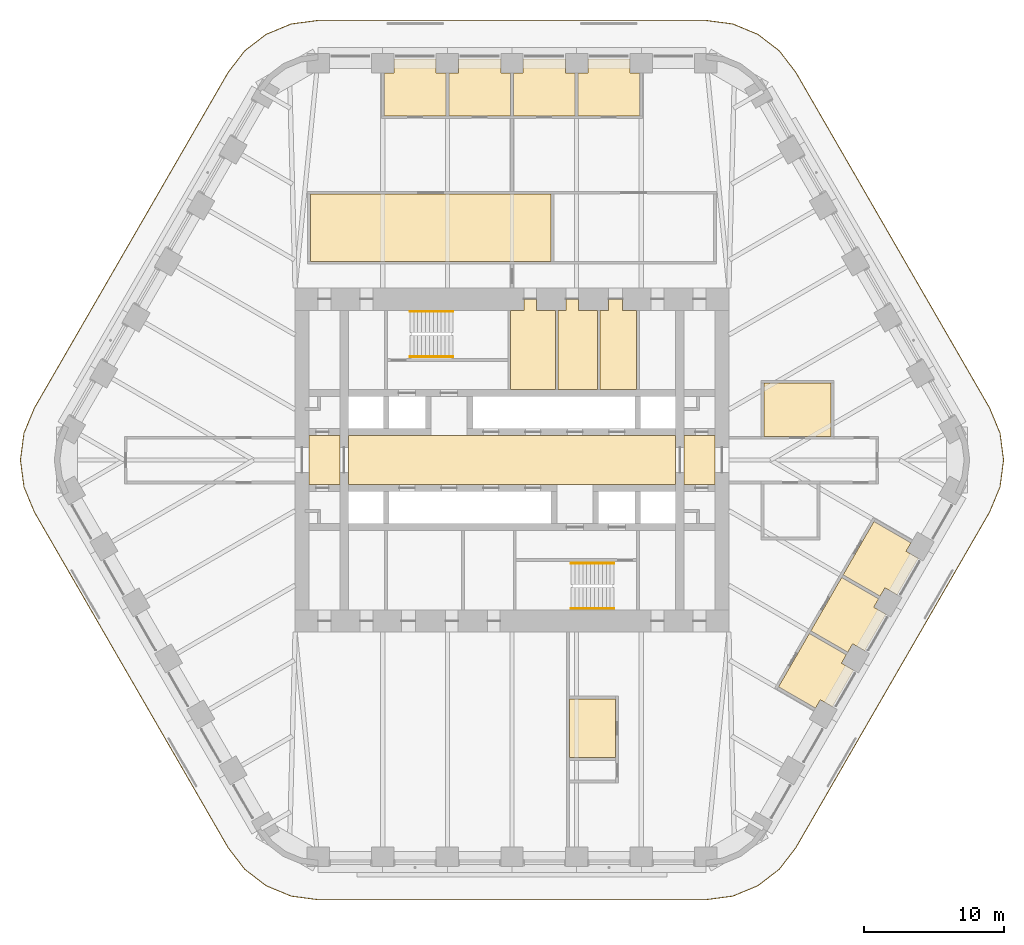
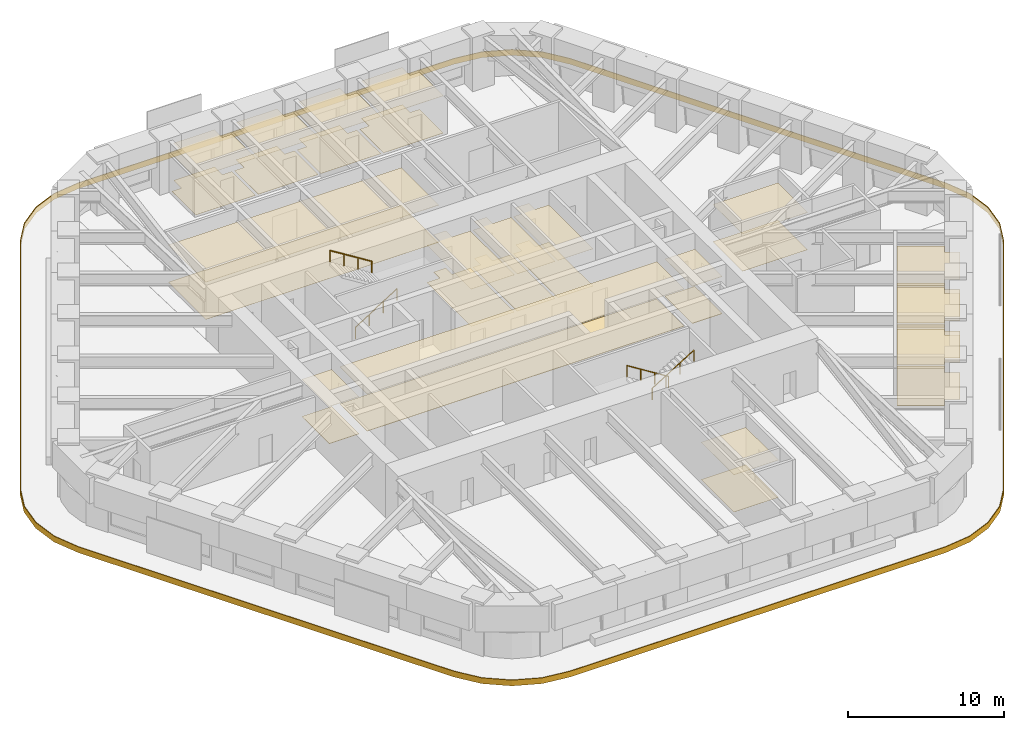
# One storey, part 19 of 20: 15 coverings, 4 railings.
"""IFC4 building model written with IfcOpenShell, lengths in metres."""

from ifc_helpers import new_model, si_unit, direction, frame, origin, origin_2d, place, context, subcontext, project, spatial, polyline, circle, outline, extrude, material, layer, layer_set, type_object, element, save


model = new_model("IFC4")

# Units and contexts
model_context = context("Model", 3, precision=1e-05, world=origin(), true_north=direction((0.0, 1.0)))
body_context = subcontext(model_context, "Body", "Model", "MODEL_VIEW")
ifc_project = project(units=[si_unit("LENGTHUNIT", "METRE"), si_unit("AREAUNIT", "SQUARE_METRE"), si_unit("VOLUMEUNIT", "CUBIC_METRE"), si_unit("PLANEANGLEUNIT", "RADIAN"), si_unit("MASSUNIT", "GRAM", prefix="KILO")], contexts=[model_context])

# Site, building, storey
site_placement = place(None, origin())
site = spatial("IfcSite", under=ifc_project, at=site_placement, CompositionType="ELEMENT")
building_placement = place(site_placement, origin())
building = spatial("IfcBuilding", under=site, at=building_placement, Name="Tarfa Lantern Tower", CompositionType="ELEMENT")
storey_placement = place(building_placement, frame((0.0, 0.0, 219.699951171875)))
storey = spatial("IfcBuildingStorey", under=building, at=storey_placement, Name="L49", CompositionType="ELEMENT", Elevation=219.699951171875)

# Coverings
ifc_material_1 = material(Name="Mineral fibre acoustic tile on suspension grid", Category="finish")
ifc_layer_1 = layer(ifc_material_1, 0.02001953125)
ifc_layer_set_1 = layer_set([ifc_layer_1], Name="CL1 ACOUSTIC TILE CEILING 20")
covering_type_1 = type_object("IfcCoveringType", Name="CL1 ACOUSTIC TILE CEILING 20", PredefinedType="CEILING", material=ifc_layer_set_1)
covering_1_placement = place(storey_placement, frame((0.0, 0.0, 2.900146484375)))
element("IfcCovering", 1, at=covering_1_placement, inside=storey, type_object=covering_type_1, Name="Ceiling L49 CL1", PredefinedType="CEILING", context=body_context, shape_type="SweptSolid", body=[
    extrude(outline(polyline([(-14.39990234375, 19.0), (2.800048828125, 19.0), (2.800048828125, 14.199951171875), (-14.39990234375, 14.199951171875), (-14.39990234375, 19.0)])), origin(), (0.0, 0.0, 1.0), 0.02001953125),
    extrude(outline(polyline([(9.1376953125, 24.60009765625), (4.71875, 24.60009765625), (4.71875, 27.64990234375), (5.418701171875, 27.64990234375), (5.418701171875, 28.64990234375), (8.4375, 28.64990234375), (8.4375, 27.64990234375), (9.1376953125, 27.64990234375), (9.1376953125, 24.60009765625)])), origin(), (0.0, 0.0, 1.0), 0.02001953125),
    extrude(outline(polyline([(4.518798828125, 24.60009765625), (0.10009765625, 24.60009765625), (0.10009765625, 27.64990234375), (0.800048828125, 27.64990234375), (0.800048828125, 28.64990234375), (3.81884765625, 28.64990234375), (3.81884765625, 27.64990234375), (4.518798828125, 27.64990234375), (4.518798828125, 24.60009765625)])), origin(), (0.0, 0.0, 1.0), 0.02001953125),
    extrude(outline(polyline([(-0.10009765625, 24.60009765625), (-4.518798828125, 24.60009765625), (-4.518798828125, 27.64990234375), (-3.81884765625, 27.64990234375), (-3.81884765625, 28.64990234375), (-0.800048828125, 28.64990234375), (-0.800048828125, 27.64990234375), (-0.10009765625, 27.64990234375), (-0.10009765625, 24.60009765625)])), origin(), (0.0, 0.0, 1.0), 0.02001953125),
    extrude(outline(polyline([(-4.71875, 24.60009765625), (-9.1376953125, 24.60009765625), (-9.1376953125, 27.64990234375), (-8.4375, 27.64990234375), (-8.4375, 28.64990234375), (-5.418701171875, 28.64990234375), (-5.418701171875, 27.64990234375), (-4.71875, 27.64990234375), (-4.71875, 24.60009765625)])), origin(), (0.0, 0.0, 1.0), 0.02001953125),
    extrude(outline(polyline([(21.254150390625, -12.38671875), (23.8955078125, -13.91162109375), (23.545654296875, -14.517822265625), (24.41162109375, -15.017822265625), (22.90234375, -17.632080078125), (22.0361328125, -17.132080078125), (21.686279296875, -17.73828125), (19.044921875, -16.21337890625), (21.254150390625, -12.38671875)])), origin(), (0.0, 0.0, 1.0), 0.02001953125),
    extrude(outline(polyline([(23.563720703125, -8.38671875), (26.205078125, -9.91162109375), (25.85498046875, -10.517822265625), (26.720947265625, -11.017822265625), (25.211669921875, -13.632080078125), (24.345703125, -13.132080078125), (23.99560546875, -13.73828125), (21.354248046875, -12.21337890625), (23.563720703125, -8.38671875)])), origin(), (0.0, 0.0, 1.0), 0.02001953125),
    extrude(outline(polyline([(25.873046875, -4.38671875), (28.514404296875, -5.91162109375), (28.164306640625, -6.517822265625), (29.030517578125, -7.017822265625), (27.52099609375, -9.632080078125), (26.655029296875, -9.132080078125), (26.304931640625, -9.73828125), (23.66357421875, -8.21337890625), (25.873046875, -4.38671875)])), origin(), (0.0, 0.0, 1.0), 0.02001953125),
    extrude(outline(polyline([(18.0, 5.5), (22.800048828125, 5.5), (22.800048828125, 1.699951171875), (18.0, 1.699951171875), (18.0, 5.5)])), origin(), (0.0, 0.0, 1.0), 0.02001953125),
    extrude(outline(polyline([(7.39990234375, -21.27490234375), (4.10009765625, -21.27490234375), (4.10009765625, -17.074951171875), (7.39990234375, -17.074951171875), (7.39990234375, -21.27490234375)])), origin(), (0.0, 0.0, 1.0), 0.02001953125),
])
ifc_material_2 = material(Name="Moisture-resistant plasterboard", Category="finish")
ifc_layer_2 = layer(ifc_material_2, 0.014892578125)
ifc_layer_set_2 = layer_set([ifc_layer_2], Name="CL2 MOISTURE-RESISTANT PLASTERBOARD CEILING 15")
covering_type_2 = type_object("IfcCoveringType", Name="CL2 MOISTURE-RESISTANT PLASTERBOARD CEILING 15", PredefinedType="CEILING", material=ifc_layer_set_2)
covering_2_placement = place(storey_placement, frame((0.0, 0.0, 2.900146484375)))
element("IfcCovering", 2, at=covering_2_placement, inside=storey, type_object=covering_type_2, Name="Ceiling L49-07", PredefinedType="CEILING", context=body_context, shape_type="SweptSolid", body=[
    extrude(outline(polyline([(0.85009765625, 10.699951171875), (-0.10009765625, 10.699951171875), (-0.10009765625, 5.050048828125), (3.10009765625, 5.050048828125), (3.10009765625, 10.699951171875), (1.75, 10.699951171875), (1.75, 11.5), (0.85009765625, 11.5), (0.85009765625, 10.699951171875)])), origin(), (0.0, 0.0, 1.0), 0.014892578125),
])
covering_3_placement = place(storey_placement, frame((0.0, 0.0, 2.900146484375)))
element("IfcCovering", 3, at=covering_3_placement, inside=storey, type_object=covering_type_2, Name="Ceiling L49-08", PredefinedType="CEILING", context=body_context, shape_type="SweptSolid", body=[
    extrude(outline(polyline([(3.300048828125, 5.050048828125), (6.10009765625, 5.050048828125), (6.10009765625, 10.699951171875), (4.75, 10.699951171875), (4.75, 11.5), (3.85009765625, 11.5), (3.85009765625, 10.699951171875), (3.300048828125, 10.699951171875), (3.300048828125, 5.050048828125)])), origin(), (0.0, 0.0, 1.0), 0.014892578125),
])
covering_4_placement = place(storey_placement, frame((0.0, 0.0, 2.900146484375)))
element("IfcCovering", 4, at=covering_4_placement, inside=storey, type_object=covering_type_2, Name="Ceiling L49-09", PredefinedType="CEILING", context=body_context, shape_type="SweptSolid", body=[
    extrude(outline(polyline([(6.300048828125, 5.050048828125), (8.89990234375, 5.050048828125), (8.89990234375, 10.699951171875), (7.89990234375, 10.699951171875), (7.89990234375, 11.5), (6.89990234375, 11.5), (6.89990234375, 10.699951171875), (6.300048828125, 10.699951171875), (6.300048828125, 5.050048828125)])), origin(), (0.0, 0.0, 1.0), 0.014892578125),
])
ifc_material_3 = material(Name="Powder-coated aluminium panel", Category="aluminium")
ifc_layer_3 = layer(ifc_material_3, 0.030029296875)
ifc_layer_set_3 = layer_set([ifc_layer_3], Name="CL3 METAL PANEL CEILING 30")
covering_type_3 = type_object("IfcCoveringType", Name="CL3 METAL PANEL CEILING 30", PredefinedType="CEILING", material=ifc_layer_set_3)
covering_5_placement = place(storey_placement, frame((0.0, 0.0, 2.900146484375)))
element("IfcCovering", 5, at=covering_5_placement, inside=storey, type_object=covering_type_3, Name="Ceiling L49-01", PredefinedType="CEILING", context=body_context, shape_type="SweptSolid", body=[
    extrude(outline(polyline([(-14.5, -1.75), (-12.300048828125, -1.75), (-12.300048828125, 1.75), (-14.5, 1.75), (-14.5, -1.75)])), origin(), (0.0, 0.0, 1.0), 0.02978515625),
])
covering_6_placement = place(storey_placement, frame((0.0, 0.0, 2.900146484375)))
element("IfcCovering", 6, at=covering_6_placement, inside=storey, type_object=covering_type_3, Name="Ceiling L49-02", PredefinedType="CEILING", context=body_context, shape_type="SweptSolid", body=[
    extrude(outline(polyline([(-11.699951171875, -1.75), (11.699951171875, -1.75), (11.699951171875, 1.75), (-11.699951171875, 1.75), (-11.699951171875, -1.75)])), origin(), (0.0, 0.0, 1.0), 0.02978515625),
])
covering_7_placement = place(storey_placement, frame((0.0, 0.0, 2.900146484375)))
element("IfcCovering", 7, at=covering_7_placement, inside=storey, type_object=covering_type_3, Name="Ceiling L49-03", PredefinedType="CEILING", context=body_context, shape_type="SweptSolid", body=[
    extrude(outline(polyline([(12.300048828125, -1.75), (14.5, -1.75), (14.5, 1.75), (12.300048828125, 1.75), (12.300048828125, -1.75)])), origin(), (0.0, 0.0, 1.0), 0.02978515625),
])
ifc_material_4 = material(Name="Nylon carpet tile", Category="finish")
ifc_layer_4 = layer(ifc_material_4, 0.010009765625)
ifc_layer_set_4 = layer_set([ifc_layer_4], Name="FL1 CARPET TILE 10")
covering_type_4 = type_object("IfcCoveringType", Name="FL1 CARPET TILE 10", PredefinedType="FLOORING", material=ifc_layer_set_4)
covering_8_placement = place(storey_placement, origin())
element("IfcCovering", 8, at=covering_8_placement, inside=storey, type_object=covering_type_4, Name="Floor finish L49 FL1", PredefinedType="FLOORING", context=body_context, shape_type="SweptSolid", body=[
    extrude(outline(polyline([(-14.39990234375, 19.0), (2.800048828125, 19.0), (2.800048828125, 14.199951171875), (-14.39990234375, 14.199951171875), (-14.39990234375, 19.0)])), origin(), (0.0, 0.0, 1.0), 0.010009765625),
    extrude(outline(polyline([(9.1376953125, 24.60009765625), (4.71875, 24.60009765625), (4.71875, 27.64990234375), (5.418701171875, 27.64990234375), (5.418701171875, 28.64990234375), (8.4375, 28.64990234375), (8.4375, 27.64990234375), (9.1376953125, 27.64990234375), (9.1376953125, 24.60009765625)])), origin(), (0.0, 0.0, 1.0), 0.010009765625),
    extrude(outline(polyline([(4.518798828125, 24.60009765625), (0.10009765625, 24.60009765625), (0.10009765625, 27.64990234375), (0.800048828125, 27.64990234375), (0.800048828125, 28.64990234375), (3.81884765625, 28.64990234375), (3.81884765625, 27.64990234375), (4.518798828125, 27.64990234375), (4.518798828125, 24.60009765625)])), origin(), (0.0, 0.0, 1.0), 0.010009765625),
    extrude(outline(polyline([(-0.10009765625, 24.60009765625), (-4.518798828125, 24.60009765625), (-4.518798828125, 27.64990234375), (-3.81884765625, 27.64990234375), (-3.81884765625, 28.64990234375), (-0.800048828125, 28.64990234375), (-0.800048828125, 27.64990234375), (-0.10009765625, 27.64990234375), (-0.10009765625, 24.60009765625)])), origin(), (0.0, 0.0, 1.0), 0.010009765625),
    extrude(outline(polyline([(-4.71875, 24.60009765625), (-9.1376953125, 24.60009765625), (-9.1376953125, 27.64990234375), (-8.4375, 27.64990234375), (-8.4375, 28.64990234375), (-5.418701171875, 28.64990234375), (-5.418701171875, 27.64990234375), (-4.71875, 27.64990234375), (-4.71875, 24.60009765625)])), origin(), (0.0, 0.0, 1.0), 0.010009765625),
    extrude(outline(polyline([(21.254150390625, -12.38671875), (23.8955078125, -13.91162109375), (23.545654296875, -14.517822265625), (24.41162109375, -15.017822265625), (22.90234375, -17.632080078125), (22.0361328125, -17.132080078125), (21.686279296875, -17.73828125), (19.044921875, -16.21337890625), (21.254150390625, -12.38671875)])), origin(), (0.0, 0.0, 1.0), 0.010009765625),
    extrude(outline(polyline([(23.563720703125, -8.38671875), (26.205078125, -9.91162109375), (25.85498046875, -10.517822265625), (26.720947265625, -11.017822265625), (25.211669921875, -13.632080078125), (24.345703125, -13.132080078125), (23.99560546875, -13.73828125), (21.354248046875, -12.21337890625), (23.563720703125, -8.38671875)])), origin(), (0.0, 0.0, 1.0), 0.010009765625),
    extrude(outline(polyline([(25.873046875, -4.38671875), (28.514404296875, -5.91162109375), (28.164306640625, -6.517822265625), (29.030517578125, -7.017822265625), (27.52099609375, -9.632080078125), (26.655029296875, -9.132080078125), (26.304931640625, -9.73828125), (23.66357421875, -8.21337890625), (25.873046875, -4.38671875)])), origin(), (0.0, 0.0, 1.0), 0.010009765625),
    extrude(outline(polyline([(18.0, 5.5), (22.800048828125, 5.5), (22.800048828125, 1.699951171875), (18.0, 1.699951171875), (18.0, 5.5)])), origin(), (0.0, 0.0, 1.0), 0.010009765625),
    extrude(outline(polyline([(7.39990234375, -21.27490234375), (4.10009765625, -21.27490234375), (4.10009765625, -17.074951171875), (7.39990234375, -17.074951171875), (7.39990234375, -21.27490234375)])), origin(), (0.0, 0.0, 1.0), 0.010009765625),
])
ifc_material_5 = material(Name="Honed limestone flooring", Category="masonry")
ifc_layer_5 = layer(ifc_material_5, 0.030029296875)
ifc_layer_set_5 = layer_set([ifc_layer_5], Name="FL2 STONE FLOORING 30")
covering_type_5 = type_object("IfcCoveringType", Name="FL2 STONE FLOORING 30", PredefinedType="FLOORING", material=ifc_layer_set_5)
covering_9_placement = place(storey_placement, origin())
element("IfcCovering", 9, at=covering_9_placement, inside=storey, type_object=covering_type_5, Name="Floor finish L49-01", PredefinedType="FLOORING", context=body_context, shape_type="SweptSolid", body=[
    extrude(outline(polyline([(-14.5, -1.75), (-12.300048828125, -1.75), (-12.300048828125, 1.75), (-14.5, 1.75), (-14.5, -1.75)])), origin(), (0.0, 0.0, 1.0), 0.030029296875),
])
covering_10_placement = place(storey_placement, origin())
element("IfcCovering", 10, at=covering_10_placement, inside=storey, type_object=covering_type_5, Name="Floor finish L49-02", PredefinedType="FLOORING", context=body_context, shape_type="SweptSolid", body=[
    extrude(outline(polyline([(-11.699951171875, -1.75), (11.699951171875, -1.75), (11.699951171875, 1.75), (-11.699951171875, 1.75), (-11.699951171875, -1.75)])), origin(), (0.0, 0.0, 1.0), 0.030029296875),
])
covering_11_placement = place(storey_placement, origin())
element("IfcCovering", 11, at=covering_11_placement, inside=storey, type_object=covering_type_5, Name="Floor finish L49-03", PredefinedType="FLOORING", context=body_context, shape_type="SweptSolid", body=[
    extrude(outline(polyline([(12.300048828125, -1.75), (14.5, -1.75), (14.5, 1.75), (12.300048828125, 1.75), (12.300048828125, -1.75)])), origin(), (0.0, 0.0, 1.0), 0.030029296875),
])
ifc_material_6 = material(Name="Porcelain floor tile", Category="finish")
ifc_layer_6 = layer(ifc_material_6, 0.011962890625)
ifc_layer_set_6 = layer_set([ifc_layer_6], Name="FL3 CERAMIC TILE 12")
covering_type_6 = type_object("IfcCoveringType", Name="FL3 CERAMIC TILE 12", PredefinedType="FLOORING", material=ifc_layer_set_6)
covering_12_placement = place(storey_placement, origin())
element("IfcCovering", 12, at=covering_12_placement, inside=storey, type_object=covering_type_6, Name="Floor finish L49-07", PredefinedType="FLOORING", context=body_context, shape_type="SweptSolid", body=[
    extrude(outline(polyline([(0.85009765625, 10.699951171875), (-0.10009765625, 10.699951171875), (-0.10009765625, 5.050048828125), (3.10009765625, 5.050048828125), (3.10009765625, 10.699951171875), (1.75, 10.699951171875), (1.75, 11.5), (0.85009765625, 11.5), (0.85009765625, 10.699951171875)])), origin(), (0.0, 0.0, 1.0), 0.011962890625),
])
covering_13_placement = place(storey_placement, origin())
element("IfcCovering", 13, at=covering_13_placement, inside=storey, type_object=covering_type_6, Name="Floor finish L49-08", PredefinedType="FLOORING", context=body_context, shape_type="SweptSolid", body=[
    extrude(outline(polyline([(3.300048828125, 5.050048828125), (6.10009765625, 5.050048828125), (6.10009765625, 10.699951171875), (4.75, 10.699951171875), (4.75, 11.5), (3.85009765625, 11.5), (3.85009765625, 10.699951171875), (3.300048828125, 10.699951171875), (3.300048828125, 5.050048828125)])), origin(), (0.0, 0.0, 1.0), 0.011962890625),
])
covering_14_placement = place(storey_placement, origin())
element("IfcCovering", 14, at=covering_14_placement, inside=storey, type_object=covering_type_6, Name="Floor finish L49-09", PredefinedType="FLOORING", context=body_context, shape_type="SweptSolid", body=[
    extrude(outline(polyline([(6.300048828125, 5.050048828125), (8.89990234375, 5.050048828125), (8.89990234375, 10.699951171875), (7.89990234375, 10.699951171875), (7.89990234375, 11.5), (6.89990234375, 11.5), (6.89990234375, 10.699951171875), (6.300048828125, 10.699951171875), (6.300048828125, 5.050048828125)])), origin(), (0.0, 0.0, 1.0), 0.011962890625),
])

# Railings
ifc_material_7 = material(Name="Stainless steel", Category="steel")
railing_type = type_object("IfcRailingType", Name="HR1 HANDRAIL 900", PredefinedType="HANDRAIL", material=ifc_material_7)
railing_1_placement = place(storey_placement, frame((-7.300048828125, 7.3798828125, 0.175048828125)))
element("IfcRailing", 15, at=railing_1_placement, inside=storey, type_object=railing_type, Name="Handrail 1", PredefinedType="HANDRAIL", context=body_context, shape_type="SweptSolid", body=[
    extrude(circle(Radius=0.02392578125, at=origin_2d()), frame((0.0, 0.0, 0.8759765625), z_axis=(0.847998304005, 0.0, 0.529998940003), x_axis=(0.0, 1.0, 0.0)), (0.0, 0.0, 1.0), 3.632080078125),
    extrude(circle(Radius=0.02099609375, at=origin_2d()), frame((0.0, 0.0, 0.0), z_axis=(0.0, 0.0, 1.0), x_axis=(0.0, 1.0, 0.0)), (0.0, 0.0, 1.0), 0.851806640625),
    extrude(circle(Radius=0.02099609375, at=origin_2d()), frame((1.026611328125, 0.0, 0.6416015625), z_axis=(0.0, 0.0, 1.0), x_axis=(0.0, 1.0, 0.0)), (0.0, 0.0, 1.0), 0.851806640625),
    extrude(circle(Radius=0.02099609375, at=origin_2d()), frame((2.053466796875, 0.0, 1.283447265625), z_axis=(0.0, 0.0, 1.0), x_axis=(0.0, 1.0, 0.0)), (0.0, 0.0, 1.0), 0.851806640625),
    extrude(circle(Radius=0.02099609375, at=origin_2d()), frame((3.080078125, 0.0, 1.925048828125), z_axis=(0.0, 0.0, 1.0), x_axis=(0.0, 1.0, 0.0)), (0.0, 0.0, 1.0), 0.851806640625),
])
railing_2_placement = place(storey_placement, frame((-4.219970703125, 10.6201171875, 2.275146484375)))
element("IfcRailing", 16, at=railing_2_placement, inside=storey, type_object=railing_type, Name="Handrail 2", PredefinedType="HANDRAIL", context=body_context, shape_type="SweptSolid", body=[
    extrude(circle(Radius=0.02392578125, at=origin_2d()), frame((0.0, 0.0, 0.8759765625), z_axis=(-0.848028513186, 0.0, 0.529950602248), x_axis=(0.0, -1.0, 0.0)), (0.0, 0.0, 1.0), 3.632080078125),
    extrude(circle(Radius=0.02099609375, at=origin_2d()), frame((0.0, 0.0, 0.0), z_axis=(0.0, 0.0, 1.0), x_axis=(0.0, -1.0, 0.0)), (0.0, 0.0, 1.0), 0.851806640625),
    extrude(circle(Radius=0.02099609375, at=origin_2d()), frame((-1.026611328125, 0.0, 0.6416015625), z_axis=(0.0, 0.0, 1.0), x_axis=(0.0, -1.0, 0.0)), (0.0, 0.0, 1.0), 0.851806640625),
    extrude(circle(Radius=0.02099609375, at=origin_2d()), frame((-2.053466796875, 0.0, 1.283203125), z_axis=(0.0, 0.0, 1.0), x_axis=(0.0, -1.0, 0.0)), (0.0, 0.0, 1.0), 0.851806640625),
    extrude(circle(Radius=0.02099609375, at=origin_2d()), frame((-3.080078125, 0.0, 1.9248046875), z_axis=(0.0, 0.0, 1.0), x_axis=(0.0, -1.0, 0.0)), (0.0, 0.0, 1.0), 0.851806640625),
])
railing_3_placement = place(storey_placement, frame((7.300048828125, -7.3798828125, 0.175048828125)))
element("IfcRailing", 17, at=railing_3_placement, inside=storey, type_object=railing_type, Name="Handrail 1", PredefinedType="HANDRAIL", context=body_context, shape_type="SweptSolid", body=[
    extrude(circle(Radius=0.02392578125, at=origin_2d()), frame((0.0, 0.0, 0.8759765625), z_axis=(-0.847998304005, 0.0, 0.529998940003), x_axis=(0.0, -1.0, 0.0)), (0.0, 0.0, 1.0), 3.632080078125),
    extrude(circle(Radius=0.02099609375, at=origin_2d()), frame((0.0, 0.0, 0.0), z_axis=(0.0, 0.0, 1.0), x_axis=(0.0, -1.0, 0.0)), (0.0, 0.0, 1.0), 0.851806640625),
    extrude(circle(Radius=0.02099609375, at=origin_2d()), frame((-1.026611328125, 0.0, 0.6416015625), z_axis=(0.0, 0.0, 1.0), x_axis=(0.0, -1.0, 0.0)), (0.0, 0.0, 1.0), 0.851806640625),
    extrude(circle(Radius=0.02099609375, at=origin_2d()), frame((-2.053466796875, 0.0, 1.283447265625), z_axis=(0.0, 0.0, 1.0), x_axis=(0.0, -1.0, 0.0)), (0.0, 0.0, 1.0), 0.851806640625),
    extrude(circle(Radius=0.02099609375, at=origin_2d()), frame((-3.080078125, 0.0, 1.925048828125), z_axis=(0.0, 0.0, 1.0), x_axis=(0.0, -1.0, 0.0)), (0.0, 0.0, 1.0), 0.851806640625),
])
railing_4_placement = place(storey_placement, frame((4.219970703125, -10.6201171875, 2.275146484375)))
element("IfcRailing", 18, at=railing_4_placement, inside=storey, type_object=railing_type, Name="Handrail 2", PredefinedType="HANDRAIL", context=body_context, shape_type="SweptSolid", body=[
    extrude(circle(Radius=0.02392578125, at=origin_2d()), frame((0.0, 0.0, 0.8759765625), z_axis=(0.848028513186, 0.0, 0.529950602248), x_axis=(0.0, 1.0, 0.0)), (0.0, 0.0, 1.0), 3.632080078125),
    extrude(circle(Radius=0.02099609375, at=origin_2d()), frame((0.0, 0.0, 0.0), z_axis=(0.0, 0.0, 1.0), x_axis=(0.0, 1.0, 0.0)), (0.0, 0.0, 1.0), 0.851806640625),
    extrude(circle(Radius=0.02099609375, at=origin_2d()), frame((1.026611328125, 0.0, 0.6416015625), z_axis=(0.0, 0.0, 1.0), x_axis=(0.0, 1.0, 0.0)), (0.0, 0.0, 1.0), 0.851806640625),
    extrude(circle(Radius=0.02099609375, at=origin_2d()), frame((2.053466796875, 0.0, 1.283203125), z_axis=(0.0, 0.0, 1.0), x_axis=(0.0, 1.0, 0.0)), (0.0, 0.0, 1.0), 0.851806640625),
    extrude(circle(Radius=0.02099609375, at=origin_2d()), frame((3.080078125, 0.0, 1.9248046875), z_axis=(0.0, 0.0, 1.0), x_axis=(0.0, 1.0, 0.0)), (0.0, 0.0, 1.0), 0.851806640625),
])

# Covering
ifc_material_8 = material(Name="Limestone cladding on brackets", Category="masonry")
ifc_layer_7 = layer(ifc_material_8, 0.050048828125)
ifc_layer_set_7 = layer_set([ifc_layer_7], Name="SB1 STONE BAND CLADDING 50")
covering_type_7 = type_object("IfcCoveringType", Name="SB1 STONE BAND CLADDING 50", PredefinedType="CLADDING", material=ifc_layer_set_7)
covering_15_placement = place(storey_placement, frame((0.0, 0.0, -0.39990234375)))
element("IfcCovering", 19, at=covering_15_placement, inside=storey, type_object=covering_type_7, Name="Stone band", PredefinedType="CLADDING", context=body_context, shape_type="SweptSolid", body=[
    extrude(outline(polyline([(34.164794921875, 3.72509765625), (20.308349609375, 27.72509765625), (19.124267578125, 29.26806640625), (17.581298828125, 30.451904296875), (15.78466796875, 31.196044921875), (13.8564453125, 31.449951171875), (-13.8564453125, 31.449951171875), (-15.78466796875, 31.196044921875), (-17.581298828125, 30.451904296875), (-19.124267578125, 29.26806640625), (-20.308349609375, 27.72509765625), (-34.164794921875, 3.72509765625), (-34.908935546875, 1.92822265625), (-35.162841796875, 0.0), (-34.908935546875, -1.92822265625), (-34.164794921875, -3.72509765625), (-20.308349609375, -27.72509765625), (-19.124267578125, -29.26806640625), (-17.581298828125, -30.451904296875), (-15.78466796875, -31.196044921875), (-13.8564453125, -31.449951171875), (13.8564453125, -31.449951171875), (15.78466796875, -31.196044921875), (17.581298828125, -30.451904296875), (19.124267578125, -29.26806640625), (20.308349609375, -27.72509765625), (34.164794921875, -3.72509765625), (34.908935546875, -1.92822265625), (35.162841796875, 0.0), (34.908935546875, 1.92822265625), (34.164794921875, 3.72509765625)]), holes=[polyline([(34.121337890625, 3.699951171875), (20.264892578125, 27.699951171875), (19.089111328125, 29.232666015625), (17.556396484375, 30.40869140625), (15.771728515625, 31.14794921875), (13.8564453125, 31.39990234375), (-13.8564453125, 31.39990234375), (-15.771728515625, 31.14794921875), (-17.556396484375, 30.40869140625), (-19.089111328125, 29.232666015625), (-20.264892578125, 27.699951171875), (-34.121337890625, 3.699951171875), (-34.860595703125, 1.915283203125), (-35.11279296875, 0.0), (-34.860595703125, -1.915283203125), (-34.121337890625, -3.699951171875), (-20.264892578125, -27.699951171875), (-19.089111328125, -29.232666015625), (-17.556396484375, -30.40869140625), (-15.771728515625, -31.14794921875), (-13.8564453125, -31.39990234375), (13.8564453125, -31.39990234375), (15.771728515625, -31.14794921875), (17.556396484375, -30.40869140625), (19.089111328125, -29.232666015625), (20.264892578125, -27.699951171875), (34.121337890625, -3.699951171875), (34.860595703125, -1.915283203125), (35.11279296875, 0.0), (34.860595703125, 1.915283203125), (34.121337890625, 3.699951171875)])]), origin(), (0.0, 0.0, 1.0), 0.449951171875),
])

save(model, "model.ifc")
